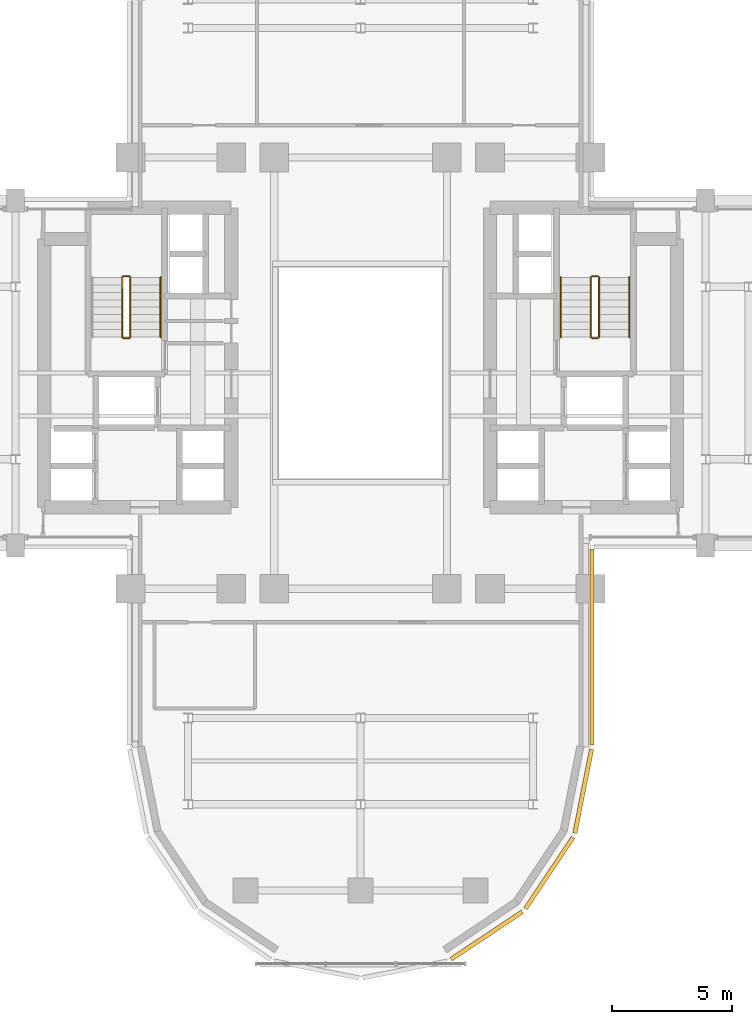
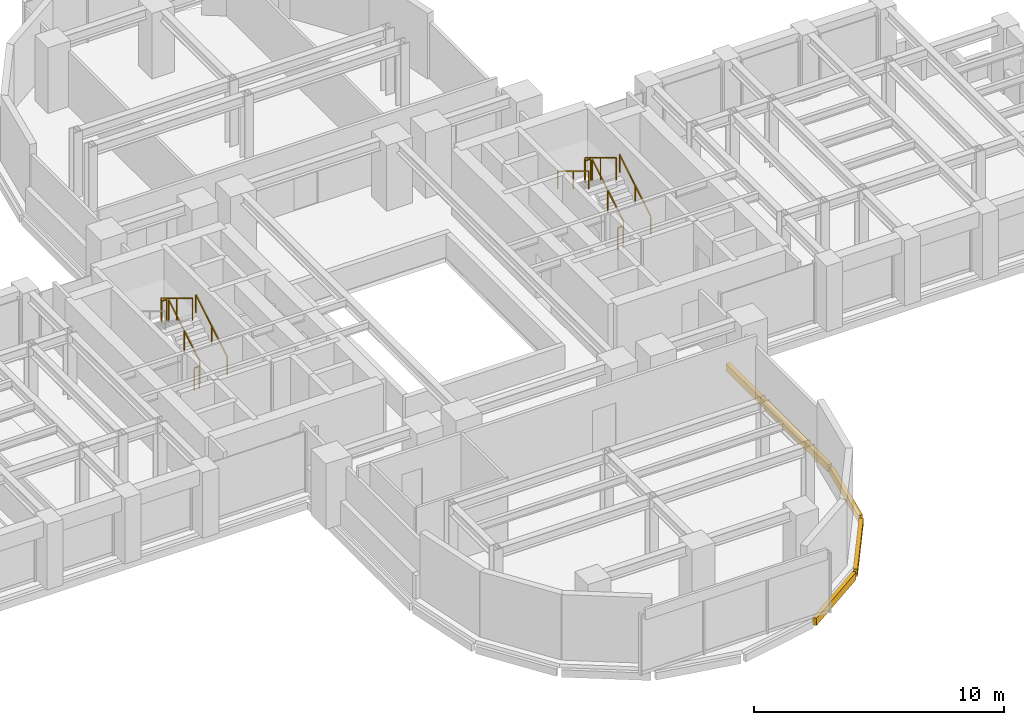
# One storey, part 14 of 15: 11 railings, 4 coverings.
"""IFC4 building model written with IfcOpenShell, lengths in metres."""

import ifcopenshell
import ifcopenshell.guid

model = None  # the IFC model being written
_history = None  # IfcOwnerHistory: only IFC2X3 demands one
_inside = {}  # id of a spatial element -> (the spatial element, [elements in it])
_under = {}  # id of a project, library or spatial element -> (it, [spatial elements below it])
_declared = {}  # id of a project -> (the project, [libraries it declares])
_typed = {}  # id of a type object -> (the type object, [elements of that type])
_made_of = {}  # id of a material, layer set ... -> (it, [elements and type objects made of it])


def new_model(schema):
    """Start an empty IFC model of exactly this schema.

    Asked for "IFC4X3", IfcOpenShell would pick the latest addendum, in which some entities
    have other attributes; the version numbers below select the first issue.
    IFC2X3 requires an IfcOwnerHistory on every rooted entity: one is made here for all.
    """
    global model, _history
    if schema == "IFC4X3":
        model = ifcopenshell.file(schema_version=(4, 3, 0, 0))
    else:
        model = ifcopenshell.file(schema=schema)
    _inside.clear()
    _under.clear()
    _declared.clear()
    _typed.clear()
    _made_of.clear()
    _history = None
    if model.schema == "IFC2X3":
        org = make("IfcOrganization", Name="unknown")
        user = make(
            "IfcPersonAndOrganization",
            ThePerson=make("IfcPerson", FamilyName="unknown"),
            TheOrganization=org,
        )
        app = make(
            "IfcApplication",
            ApplicationDeveloper=org,
            Version="unknown",
            ApplicationFullName="unknown",
            ApplicationIdentifier="unknown",
        )
        _history = make(
            "IfcOwnerHistory",
            OwningUser=user,
            OwningApplication=app,
            ChangeAction="ADDED",
            CreationDate=0,
        )
    return model


def make(cls, **values):
    """One entity of the class cls with the attributes given. An attribute that is None is left unset."""
    return model.create_entity(
        cls, **{name: value for name, value in values.items() if value is not None}
    )


def rooted(cls, **values):
    """An entity with a GlobalId (a new one), such as an element, a storey or a relation."""
    return make(cls, GlobalId=ifcopenshell.guid.new(), OwnerHistory=_history, **values)


def si_unit(unit_type, name, prefix=None):
    """IfcSIUnit, for example si_unit("LENGTHUNIT", "METRE", prefix="MILLI")."""
    return make("IfcSIUnit", UnitType=unit_type, Prefix=prefix, Name=name)


def assignment(units):
    """IfcUnitAssignment: the units of a project."""
    return None if units is None else make("IfcUnitAssignment", Units=units)


def point(xyz):
    """IfcCartesianPoint."""
    return None if xyz is None else make("IfcCartesianPoint", Coordinates=xyz)


def direction(xyz):
    """IfcDirection."""
    return None if xyz is None else make("IfcDirection", DirectionRatios=xyz)


def frame(location, z_axis=None, x_axis=None):
    """IfcAxis2Placement3D, a coordinate frame: its origin and axes. An axis left out is left unset."""
    return make(
        "IfcAxis2Placement3D",
        Location=point(location),
        Axis=direction(z_axis),
        RefDirection=direction(x_axis),
    )


def frame_2d(location, x_axis=None):
    """IfcAxis2Placement2D, a coordinate frame in the plane: its origin and x axis."""
    return make(
        "IfcAxis2Placement2D", Location=point(location), RefDirection=direction(x_axis)
    )


def origin():
    """The frame at (0, 0, 0) with its axes left unset."""
    return frame((0.0, 0.0, 0.0))


def origin_2d():
    """The frame at (0, 0) in the plane with its x axis left unset."""
    return frame_2d((0.0, 0.0))


def place(relative_to, where):
    """IfcLocalPlacement: puts the frame where relative to a parent placement (None: the world)."""
    return make(
        "IfcLocalPlacement", PlacementRelTo=relative_to, RelativePlacement=where
    )


def context(
    kind, dimensions, precision=None, world=None, true_north=None, identifier=None
):
    """IfcGeometricRepresentationContext, for example the 3D "Model" context."""
    return make(
        "IfcGeometricRepresentationContext",
        ContextIdentifier=identifier,
        ContextType=kind,
        CoordinateSpaceDimension=dimensions,
        Precision=precision,
        WorldCoordinateSystem=world,
        TrueNorth=true_north,
    )


def subcontext(parent, identifier, kind, view, scale=None):
    """IfcGeometricRepresentationSubContext, for example "Body" below "Model"."""
    return make(
        "IfcGeometricRepresentationSubContext",
        ContextIdentifier=identifier,
        ContextType=kind,
        ParentContext=parent,
        TargetScale=scale,
        TargetView=view,
    )


def project(units=None, contexts=None):
    """IfcProject with its units and contexts."""
    return rooted(
        "IfcProject",
        Name="project",
        RepresentationContexts=contexts,
        UnitsInContext=assignment(units),
    )


def spatial(cls, under=None, at=None, **own):
    """A site, building, storey or space (cls), placed at a placement, below another one or the project."""
    s = rooted(cls, ObjectPlacement=at, **own)
    if under is not None:
        _under.setdefault(under.id(), (under, []))[1].append(s)
    return s


def profile(cls, at=None, kind="AREA", **sizes):
    """A parametric profile (cls). Its sizes go by their IFC names, for example OverallWidth=200.0."""
    return make(cls, ProfileType=kind, Position=at, **sizes)


def rectangle(**sizes):
    """IfcRectangleProfileDef."""
    return profile("IfcRectangleProfileDef", **sizes)


def extrude(swept, where, along, depth):
    """IfcExtrudedAreaSolid: the profile swept, set in the frame where, extruded along a direction by depth."""
    return make(
        "IfcExtrudedAreaSolid",
        SweptArea=swept,
        Position=where,
        ExtrudedDirection=direction(along),
        Depth=depth,
    )


def shape(context_of_items, identifier, shape_type, items):
    """IfcShapeRepresentation: the items that make up one representation, for example the "Body"."""
    return make(
        "IfcShapeRepresentation",
        ContextOfItems=context_of_items,
        RepresentationIdentifier=identifier,
        RepresentationType=shape_type,
        Items=items,
    )


def source(mapping_origin, context_of_items, identifier, shape_type, items):
    """IfcRepresentationMap: a shape defined once, which mapped items show again and again."""
    return make(
        "IfcRepresentationMap",
        MappingOrigin=mapping_origin,
        MappedRepresentation=shape(context_of_items, identifier, shape_type, items),
    )


def transform(
    local_origin,
    x_axis=None,
    y_axis=None,
    z_axis=None,
    scale=None,
    scale2=None,
    scale3=None,
    uniform=True,
):
    """IfcCartesianTransformationOperator3D, or its non-uniform kind. x_axis, y_axis, z_axis: its Axis1, 2, 3."""
    if uniform:
        return make(
            "IfcCartesianTransformationOperator3D",
            Axis1=direction(x_axis),
            Axis2=direction(y_axis),
            LocalOrigin=point(local_origin),
            Scale=scale,
            Axis3=direction(z_axis),
        )
    return make(
        "IfcCartesianTransformationOperator3DnonUniform",
        Axis1=direction(x_axis),
        Axis2=direction(y_axis),
        LocalOrigin=point(local_origin),
        Scale=scale,
        Axis3=direction(z_axis),
        Scale2=scale2,
        Scale3=scale3,
    )


def mapped(mapping_source, mapping_target):
    """IfcMappedItem: shows the shape of a source again, moved by a transform."""
    return make(
        "IfcMappedItem", MappingSource=mapping_source, MappingTarget=mapping_target
    )


def material(Name=None, Category=None):
    """IfcMaterial."""
    return make("IfcMaterial", Name=Name, Category=Category)


def layer(
    of_material, thickness, ventilated=None, Name=None, Category=None, Priority=None
):
    """IfcMaterialLayer: one layer of a wall or slab, of a material (None: an air gap)."""
    return make(
        "IfcMaterialLayer",
        Material=of_material,
        LayerThickness=thickness,
        IsVentilated=ventilated,
        Name=Name,
        Category=Category,
        Priority=Priority,
    )


def layer_set(layers, Name=None):
    """IfcMaterialLayerSet."""
    return make("IfcMaterialLayerSet", MaterialLayers=layers, LayerSetName=Name)


def made_of(thing, what):
    """Note that an element or type object is made of a material, layer set ...; save() writes the relation."""
    if what is not None:
        _made_of.setdefault(what.id(), (what, []))[1].append(thing)
    return thing


def type_object(cls, material=None, **own):
    """A type object (cls), such as IfcWallType, which elements share."""
    return made_of(rooted(cls, **own), material)


def element(
    cls,
    number,
    at=None,
    inside=None,
    cuts=None,
    type_object=None,
    material=None,
    context=None,
    identifier="Body",
    shape_type=None,
    held_by="IfcProductDefinitionShape",
    body=None,
    shapes=None,
    **own,
):
    """One element of the class cls, such as IfcWall. Its Tag is "e" and its number.

    at: its placement. inside: the storey or other place that contains it. cuts: it is an
    opening in that element (IfcRelVoidsElement). A single representation is given by context,
    identifier, shape_type and body (its items); several are given by shapes. held_by: the class
    of the entity that holds the representations. save() writes the other relations.
    """
    e = rooted(cls, Tag="e%d" % number, ObjectPlacement=at, **own)
    if body is not None:
        shapes = [shape(context, identifier, shape_type, body)]
    if shapes is not None:
        e.Representation = make(held_by, Representations=shapes)
    if inside is not None:
        _inside.setdefault(inside.id(), (inside, []))[1].append(e)
    if cuts is not None:
        rooted(
            "IfcRelVoidsElement", RelatingBuildingElement=cuts, RelatedOpeningElement=e
        )
    if type_object is not None:
        _typed.setdefault(type_object.id(), (type_object, []))[1].append(e)
    return made_of(e, material)


def aggregate(whole, parts):
    """IfcRelAggregates: a whole, such as a stair, and the parts it consists of."""
    return rooted("IfcRelAggregates", RelatingObject=whole, RelatedObjects=parts)


def save(model, path):
    """Write the relations noted so far, then the file.

    IfcRelAggregates (storeys below a building ...), IfcRelContainedInSpatialStructure (elements
    in a storey), IfcRelDefinesByType, IfcRelAssociatesMaterial and IfcRelDeclares: one each for
    every whole, place, type object, material and project.
    """
    for whole, parts in _under.values():
        aggregate(whole, parts)
    for where, things in _inside.values():
        rooted(
            "IfcRelContainedInSpatialStructure",
            RelatedElements=things,
            RelatingStructure=where,
        )
    for kind, things in _typed.values():
        rooted("IfcRelDefinesByType", RelatedObjects=things, RelatingType=kind)
    for what, things in _made_of.values():
        rooted("IfcRelAssociatesMaterial", RelatedObjects=things, RelatingMaterial=what)
    for by, libraries in _declared.values():
        rooted("IfcRelDeclares", RelatingContext=by, RelatedDefinitions=libraries)
    model.write(path)


model = new_model("IFC4")

# Units and contexts
model_context = context("Model", 3, precision=1e-05, world=origin(), true_north=direction((0.0, 1.0)))
body_context = subcontext(model_context, "Body", "Model", "MODEL_VIEW")
ifc_project = project(units=[si_unit("LENGTHUNIT", "METRE"), si_unit("AREAUNIT", "SQUARE_METRE"), si_unit("VOLUMEUNIT", "CUBIC_METRE"), si_unit("PLANEANGLEUNIT", "RADIAN"), si_unit("MASSUNIT", "GRAM", prefix="KILO")], contexts=[model_context])

# Site, building, storey
site_placement = place(None, origin())
site = spatial("IfcSite", under=ifc_project, at=site_placement, CompositionType="ELEMENT")
building_placement = place(site_placement, origin())
building = spatial("IfcBuilding", under=site, at=building_placement, Name="Keilestroom Media Tower", CompositionType="ELEMENT")
storey_placement = place(building_placement, frame((0.0, 0.0, 40.800048828125)))
storey = spatial("IfcBuildingStorey", under=building, at=storey_placement, Name="L09", CompositionType="ELEMENT", Elevation=40.800048828125)

# Railings
ifc_material_1 = material(Name="Brushed Stainless Steel 1.4301", Category="steel")
railing_type_1 = type_object("IfcRailingType", Name="Stair-Pitch-Handrail-920", PredefinedType="HANDRAIL", material=ifc_material_1)
for number, where, name in (
    (1, (-8.35009765625, 1.5, 0.188720703125), "L09 ST-1 stair handrail 1"),
    (2, (11.2099609375, 1.5, 0.188720703125), "L09 ST-2 stair handrail 1"),
):
    element("IfcRailing", number, at=place(storey_placement, frame(where)), inside=storey, type_object=railing_type_1, Name=name, PredefinedType="HANDRAIL", context=body_context, shape_type="SweptSolid", body=[
        extrude(rectangle(XDim=0.048095703125, YDim=0.048095703125, at=origin_2d()), frame((0.0, 0.0, 0.8759765625), z_axis=(0.0, 0.855433747314, 0.517912255074), x_axis=(-1.0, 0.0, 0.0)), (0.0, 0.0, 1.0), 2.91796875),
        extrude(rectangle(XDim=0.0419921875, YDim=0.0419921875, at=origin_2d()), origin(), (0.0, 0.0, 1.0), 0.84375),
        extrude(rectangle(XDim=0.0419921875, YDim=0.0419921875, at=origin_2d()), frame((0.0, 1.248046875, 0.755615234375)), (0.0, 0.0, 1.0), 0.84375),
        extrude(rectangle(XDim=0.0419921875, YDim=0.0419921875, at=origin_2d()), frame((0.0, 2.49609375, 1.51123046875)), (0.0, 0.0, 1.0), 0.84375),
    ])
railing_1_placement = place(storey_placement, frame((8.35009765625, 3.99609375, 1.888916015625)))
element("IfcRailing", 3, at=railing_1_placement, inside=storey, type_object=railing_type_1, Name="L09 ST-2 stair handrail 2", PredefinedType="HANDRAIL", context=body_context, shape_type="SweptSolid", body=[
    extrude(rectangle(XDim=0.048095703125, YDim=0.048095703125, at=origin_2d()), frame((0.0, 0.0, 0.8759765625), z_axis=(0.0, -0.855470815493, 0.517851024754), x_axis=(1.0, 0.0, 0.0)), (0.0, 0.0, 1.0), 2.917724609375),
    extrude(rectangle(XDim=0.0419921875, YDim=0.0419921875, at=origin_2d()), origin(), (0.0, 0.0, 1.0), 0.84375),
    extrude(rectangle(XDim=0.0419921875, YDim=0.0419921875, at=origin_2d()), frame((0.0, -1.248046875, 0.75537109375)), (0.0, 0.0, 1.0), 0.84375),
    extrude(rectangle(XDim=0.0419921875, YDim=0.0419921875, at=origin_2d()), frame((0.0, -2.49609375, 1.510986328125)), (0.0, 0.0, 1.0), 0.84375),
])
ifc_material_2 = material(Name="Painted Steel Balustrade", Category="steel")
railing_type_2 = type_object("IfcRailingType", Name="Stair-Well-And-Landing-Guard-1100", PredefinedType="GUARDRAIL", material=ifc_material_2)
railing_2_placement = place(storey_placement, frame((-9.610107421875, 1.5, 0.188720703125)))
element("IfcRailing", 4, at=railing_2_placement, inside=storey, type_object=railing_type_2, Name="L09 ST-1 stair guard 1", PredefinedType="GUARDRAIL", context=body_context, shape_type="SweptSolid", body=[
    extrude(rectangle(XDim=0.048095703125, YDim=0.048095703125, at=origin_2d()), frame((0.0, 0.0, 1.076171875), z_axis=(0.0, 0.855433747314, 0.517912255074), x_axis=(-1.0, 0.0, 0.0)), (0.0, 0.0, 1.0), 2.91796875),
    extrude(rectangle(XDim=0.0419921875, YDim=0.0419921875, at=origin_2d()), origin(), (0.0, 0.0, 1.0), 1.0439453125),
    extrude(rectangle(XDim=0.0419921875, YDim=0.0419921875, at=origin_2d()), frame((0.0, 1.248046875, 0.755615234375)), (0.0, 0.0, 1.0), 1.0439453125),
    extrude(rectangle(XDim=0.0419921875, YDim=0.0419921875, at=origin_2d()), frame((0.0, 2.49609375, 1.51123046875)), (0.0, 0.0, 1.0), 1.0439453125),
])
railing_3_placement = place(storey_placement, frame((-9.659912109375, 4.0458984375, 1.699951171875)))
element("IfcRailing", 5, at=railing_3_placement, inside=storey, type_object=railing_type_2, Name="L09 ST-1 stair guard 2", PredefinedType="GUARDRAIL", context=body_context, shape_type="SweptSolid", body=[
    extrude(rectangle(XDim=0.048095703125, YDim=0.048095703125, at=origin_2d()), frame((0.0, 0.0, 1.076171875), z_axis=(-1.0, 0.0, 0.0), x_axis=(0.0, -1.0, 0.0)), (0.0, 0.0, 1.0), 0.239990234375),
    extrude(rectangle(XDim=0.0419921875, YDim=0.0419921875, at=origin_2d()), origin(), (0.0, 0.0, 1.0), 1.0439453125),
    extrude(rectangle(XDim=0.0419921875, YDim=0.0419921875, at=origin_2d()), frame((-0.239990234375, 0.0, 0.0)), (0.0, 0.0, 1.0), 1.0439453125),
])
railing_4_placement = place(storey_placement, frame((-9.949951171875, 3.99609375, 1.888916015625)))
element("IfcRailing", 6, at=railing_4_placement, inside=storey, type_object=railing_type_2, Name="L09 ST-1 stair guard 3", PredefinedType="GUARDRAIL", context=body_context, shape_type="SweptSolid", body=[
    extrude(rectangle(XDim=0.048095703125, YDim=0.048095703125, at=origin_2d()), frame((0.0, 0.0, 1.076171875), z_axis=(0.0, -0.855470815493, 0.517851024754), x_axis=(1.0, 0.0, 0.0)), (0.0, 0.0, 1.0), 2.917724609375),
    extrude(rectangle(XDim=0.0419921875, YDim=0.0419921875, at=origin_2d()), origin(), (0.0, 0.0, 1.0), 1.0439453125),
    extrude(rectangle(XDim=0.0419921875, YDim=0.0419921875, at=origin_2d()), frame((0.0, -1.248046875, 0.75537109375)), (0.0, 0.0, 1.0), 1.0439453125),
    extrude(rectangle(XDim=0.0419921875, YDim=0.0419921875, at=origin_2d()), frame((0.0, -2.49609375, 1.510986328125)), (0.0, 0.0, 1.0), 1.0439453125),
])
railing_5_placement = place(storey_placement, frame((-9.659912109375, 1.449951171875, 0.0)))
element("IfcRailing", 7, at=railing_5_placement, inside=storey, type_object=railing_type_2, Name="L09 ST-1 stair guard 4", PredefinedType="GUARDRAIL", context=body_context, shape_type="SweptSolid", body=[
    extrude(rectangle(XDim=0.048095703125, YDim=0.048095703125, at=origin_2d()), frame((0.0, 0.0, 1.076171875), z_axis=(-1.0, 0.0, 0.0), x_axis=(0.0, -1.0, 0.0)), (0.0, 0.0, 1.0), 0.239990234375),
    extrude(rectangle(XDim=0.0419921875, YDim=0.0419921875, at=origin_2d()), origin(), (0.0, 0.0, 1.0), 1.0439453125),
    extrude(rectangle(XDim=0.0419921875, YDim=0.0419921875, at=origin_2d()), frame((-0.239990234375, 0.0, 0.0)), (0.0, 0.0, 1.0), 1.0439453125),
])
railing_6_placement = place(storey_placement, frame((9.949951171875, 1.5, 0.188720703125)))
element("IfcRailing", 8, at=railing_6_placement, inside=storey, type_object=railing_type_2, Name="L09 ST-2 stair guard 1", PredefinedType="GUARDRAIL", context=body_context, shape_type="SweptSolid", body=[
    extrude(rectangle(XDim=0.048095703125, YDim=0.048095703125, at=origin_2d()), frame((0.0, 0.0, 1.076171875), z_axis=(0.0, 0.855433747314, 0.517912255074), x_axis=(-1.0, 0.0, 0.0)), (0.0, 0.0, 1.0), 2.91796875),
    extrude(rectangle(XDim=0.0419921875, YDim=0.0419921875, at=origin_2d()), origin(), (0.0, 0.0, 1.0), 1.0439453125),
    extrude(rectangle(XDim=0.0419921875, YDim=0.0419921875, at=origin_2d()), frame((0.0, 1.248046875, 0.755615234375)), (0.0, 0.0, 1.0), 1.0439453125),
    extrude(rectangle(XDim=0.0419921875, YDim=0.0419921875, at=origin_2d()), frame((0.0, 2.49609375, 1.51123046875)), (0.0, 0.0, 1.0), 1.0439453125),
])
railing_7_placement = place(storey_placement, frame((9.89990234375, 4.0458984375, 1.699951171875)))
element("IfcRailing", 9, at=railing_7_placement, inside=storey, type_object=railing_type_2, Name="L09 ST-2 stair guard 2", PredefinedType="GUARDRAIL", context=body_context, shape_type="SweptSolid", body=[
    extrude(rectangle(XDim=0.048095703125, YDim=0.048095703125, at=origin_2d()), frame((0.0, 0.0, 1.076171875), z_axis=(-1.0, 0.0, 0.0), x_axis=(0.0, -1.0, 0.0)), (0.0, 0.0, 1.0), 0.239990234375),
    extrude(rectangle(XDim=0.0419921875, YDim=0.0419921875, at=origin_2d()), origin(), (0.0, 0.0, 1.0), 1.0439453125),
    extrude(rectangle(XDim=0.0419921875, YDim=0.0419921875, at=origin_2d()), frame((-0.239990234375, 0.0, 0.0)), (0.0, 0.0, 1.0), 1.0439453125),
])
railing_8_placement = place(storey_placement, frame((9.610107421875, 3.99609375, 1.888916015625)))
element("IfcRailing", 10, at=railing_8_placement, inside=storey, type_object=railing_type_2, Name="L09 ST-2 stair guard 3", PredefinedType="GUARDRAIL", context=body_context, shape_type="SweptSolid", body=[
    extrude(rectangle(XDim=0.048095703125, YDim=0.048095703125, at=origin_2d()), frame((0.0, 0.0, 1.076171875), z_axis=(0.0, -0.855470815493, 0.517851024754), x_axis=(1.0, 0.0, 0.0)), (0.0, 0.0, 1.0), 2.917724609375),
    extrude(rectangle(XDim=0.0419921875, YDim=0.0419921875, at=origin_2d()), origin(), (0.0, 0.0, 1.0), 1.0439453125),
    extrude(rectangle(XDim=0.0419921875, YDim=0.0419921875, at=origin_2d()), frame((0.0, -1.248046875, 0.75537109375)), (0.0, 0.0, 1.0), 1.0439453125),
    extrude(rectangle(XDim=0.0419921875, YDim=0.0419921875, at=origin_2d()), frame((0.0, -2.49609375, 1.510986328125)), (0.0, 0.0, 1.0), 1.0439453125),
])
railing_9_placement = place(storey_placement, frame((9.89990234375, 1.449951171875, 0.0)))
element("IfcRailing", 11, at=railing_9_placement, inside=storey, type_object=railing_type_2, Name="L09 ST-2 stair guard 4", PredefinedType="GUARDRAIL", context=body_context, shape_type="SweptSolid", body=[
    extrude(rectangle(XDim=0.048095703125, YDim=0.048095703125, at=origin_2d()), frame((0.0, 0.0, 1.076171875), z_axis=(-1.0, 0.0, 0.0), x_axis=(0.0, -1.0, 0.0)), (0.0, 0.0, 1.0), 0.239990234375),
    extrude(rectangle(XDim=0.0419921875, YDim=0.0419921875, at=origin_2d()), origin(), (0.0, 0.0, 1.0), 1.0439453125),
    extrude(rectangle(XDim=0.0419921875, YDim=0.0419921875, at=origin_2d()), frame((-0.239990234375, 0.0, 0.0)), (0.0, 0.0, 1.0), 1.0439453125),
])

# Coverings
ifc_material_3 = material(Name="Precast concrete C40/50", Category="concrete")
ifc_layer = layer(ifc_material_3, 0.1201171875)
ifc_layer_set = layer_set([ifc_layer], Name="Precast concrete C40/50")
covering_type = type_object("IfcCoveringType", Name="Exterior-Precast-Spandrel-Cladding-Panel-120", PredefinedType="CLADDING", material=ifc_layer_set)
shared_shape_1 = source(origin(), body_context, "Body", "SweptSolid", [
    extrude(rectangle(XDim=8.166015625, YDim=0.179931640625, at=origin_2d()), origin(), (0.0, 0.0, 1.0), 0.360107421875),
])
covering_1_placement = place(storey_placement, frame((9.659912109375, -11.43310546875, -0.5400390625), z_axis=(0.0, 0.0, 1.0), x_axis=(0.0, -1.0, 0.0)))
element("IfcCovering", 12, at=covering_1_placement, inside=storey, type_object=covering_type, Name="L09 Precast Slab-Edge Fascia Cornice 06", PredefinedType="CLADDING", context=body_context, shape_type="MappedRepresentation", body=[
    mapped(shared_shape_1, transform((0.0, 0.0, 0.0), x_axis=(1.0, 0.0, 0.0), y_axis=(0.0, 1.0, 0.0), z_axis=(0.0, 0.0, 1.0), scale=1.0)),
])
shared_shape_2 = source(origin(), body_context, "Body", "SweptSolid", [
    extrude(rectangle(XDim=3.58349609375, YDim=0.179931640625, at=origin_2d()), origin(), (0.0, 0.0, 1.0), 0.360107421875),
])
covering_2_placement = place(storey_placement, frame((9.29296875, -17.45166015625, -0.5400390625), z_axis=(0.0, 0.0, 1.0), x_axis=(-0.195098880975, -0.980783577882, 0.0)))
element("IfcCovering", 13, at=covering_2_placement, inside=storey, type_object=covering_type, Name="L09 Precast Slab-Edge Fascia Cornice 07", PredefinedType="CLADDING", context=body_context, shape_type="MappedRepresentation", body=[
    mapped(shared_shape_2, transform((0.0, 0.0, 0.0), x_axis=(1.0, 0.0, 0.0), y_axis=(0.0, 1.0, 0.0), z_axis=(0.0, 0.0, 1.0), scale=1.0)),
])
shared_shape_3 = source(origin(), body_context, "Body", "SweptSolid", [
    extrude(rectangle(XDim=3.589599609375, YDim=0.179931640625, at=origin_2d()), origin(), (0.0, 0.0, 1.0), 0.360107421875),
])
for number, where, z_axis, x_axis, name in (
    (14, (7.878662109375, -20.8642578125, -0.5400390625), (0.0, 0.0, 1.0), (-0.555574586577, -0.831466703332, 0.0), "L09 Precast Slab-Edge Fascia Cornice 08"),
    (15, (5.264404296875, -23.478515625, -0.5400390625), (0.0, 0.0, 1.0), (-0.831466703332, -0.555574586577, 0.0), "L09 Precast Slab-Edge Fascia Cornice 09"),
):
    element("IfcCovering", number, at=place(storey_placement, frame(where, z_axis=z_axis, x_axis=x_axis)), inside=storey, type_object=covering_type, Name=name, PredefinedType="CLADDING", context=body_context, shape_type="MappedRepresentation", body=[
        mapped(shared_shape_3, transform((0.0, 0.0, 0.0), x_axis=(1.0, 0.0, 0.0), y_axis=(0.0, 1.0, 0.0), z_axis=(0.0, 0.0, 1.0), scale=1.0)),
    ])

save(model, "model.ifc")
